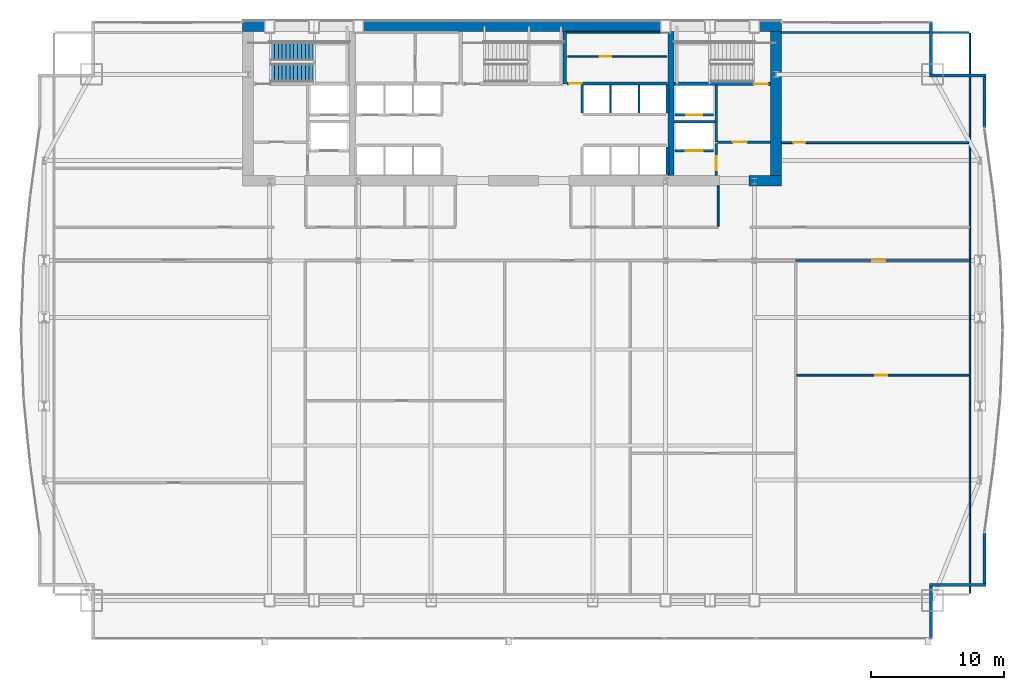
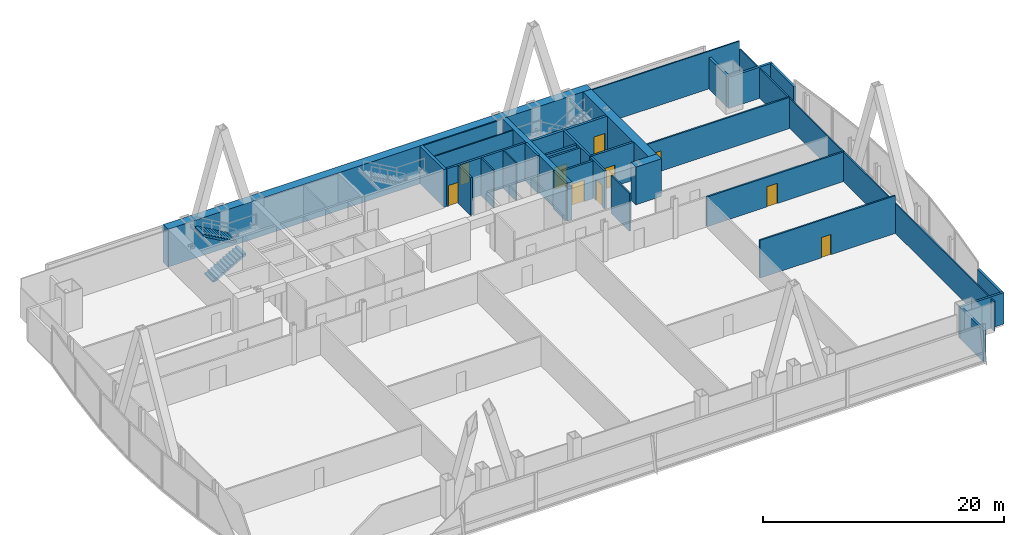
# One storey, part 31 of 35: 32 walls, 10 doors, 2 stair flights, 10 openings, 1 element without a shape of its own.
"""IFC4 building model written with IfcOpenShell, lengths in metres."""

import ifcopenshell
import ifcopenshell.guid

model = None  # the IFC model being written
_history = None  # IfcOwnerHistory: only IFC2X3 demands one
_inside = {}  # id of a spatial element -> (the spatial element, [elements in it])
_under = {}  # id of a project, library or spatial element -> (it, [spatial elements below it])
_declared = {}  # id of a project -> (the project, [libraries it declares])
_typed = {}  # id of a type object -> (the type object, [elements of that type])
_made_of = {}  # id of a material, layer set ... -> (it, [elements and type objects made of it])


def new_model(schema):
    """Start an empty IFC model of exactly this schema.

    Asked for "IFC4X3", IfcOpenShell would pick the latest addendum, in which some entities
    have other attributes; the version numbers below select the first issue.
    IFC2X3 requires an IfcOwnerHistory on every rooted entity: one is made here for all.
    """
    global model, _history
    if schema == "IFC4X3":
        model = ifcopenshell.file(schema_version=(4, 3, 0, 0))
    else:
        model = ifcopenshell.file(schema=schema)
    _inside.clear()
    _under.clear()
    _declared.clear()
    _typed.clear()
    _made_of.clear()
    _history = None
    if model.schema == "IFC2X3":
        org = make("IfcOrganization", Name="unknown")
        user = make(
            "IfcPersonAndOrganization",
            ThePerson=make("IfcPerson", FamilyName="unknown"),
            TheOrganization=org,
        )
        app = make(
            "IfcApplication",
            ApplicationDeveloper=org,
            Version="unknown",
            ApplicationFullName="unknown",
            ApplicationIdentifier="unknown",
        )
        _history = make(
            "IfcOwnerHistory",
            OwningUser=user,
            OwningApplication=app,
            ChangeAction="ADDED",
            CreationDate=0,
        )
    return model


def make(cls, **values):
    """One entity of the class cls with the attributes given. An attribute that is None is left unset."""
    return model.create_entity(
        cls, **{name: value for name, value in values.items() if value is not None}
    )


def rooted(cls, **values):
    """An entity with a GlobalId (a new one), such as an element, a storey or a relation."""
    return make(cls, GlobalId=ifcopenshell.guid.new(), OwnerHistory=_history, **values)


def si_unit(unit_type, name, prefix=None):
    """IfcSIUnit, for example si_unit("LENGTHUNIT", "METRE", prefix="MILLI")."""
    return make("IfcSIUnit", UnitType=unit_type, Prefix=prefix, Name=name)


def assignment(units):
    """IfcUnitAssignment: the units of a project."""
    return None if units is None else make("IfcUnitAssignment", Units=units)


def point(xyz):
    """IfcCartesianPoint."""
    return None if xyz is None else make("IfcCartesianPoint", Coordinates=xyz)


def direction(xyz):
    """IfcDirection."""
    return None if xyz is None else make("IfcDirection", DirectionRatios=xyz)


def frame(location, z_axis=None, x_axis=None):
    """IfcAxis2Placement3D, a coordinate frame: its origin and axes. An axis left out is left unset."""
    return make(
        "IfcAxis2Placement3D",
        Location=point(location),
        Axis=direction(z_axis),
        RefDirection=direction(x_axis),
    )


def frame_2d(location, x_axis=None):
    """IfcAxis2Placement2D, a coordinate frame in the plane: its origin and x axis."""
    return make(
        "IfcAxis2Placement2D", Location=point(location), RefDirection=direction(x_axis)
    )


def origin():
    """The frame at (0, 0, 0) with its axes left unset."""
    return frame((0.0, 0.0, 0.0))


def place(relative_to, where):
    """IfcLocalPlacement: puts the frame where relative to a parent placement (None: the world)."""
    return make(
        "IfcLocalPlacement", PlacementRelTo=relative_to, RelativePlacement=where
    )


def context(
    kind, dimensions, precision=None, world=None, true_north=None, identifier=None
):
    """IfcGeometricRepresentationContext, for example the 3D "Model" context."""
    return make(
        "IfcGeometricRepresentationContext",
        ContextIdentifier=identifier,
        ContextType=kind,
        CoordinateSpaceDimension=dimensions,
        Precision=precision,
        WorldCoordinateSystem=world,
        TrueNorth=true_north,
    )


def subcontext(parent, identifier, kind, view, scale=None):
    """IfcGeometricRepresentationSubContext, for example "Body" below "Model"."""
    return make(
        "IfcGeometricRepresentationSubContext",
        ContextIdentifier=identifier,
        ContextType=kind,
        ParentContext=parent,
        TargetScale=scale,
        TargetView=view,
    )


def project(units=None, contexts=None):
    """IfcProject with its units and contexts."""
    return rooted(
        "IfcProject",
        Name="project",
        RepresentationContexts=contexts,
        UnitsInContext=assignment(units),
    )


def spatial(cls, under=None, at=None, **own):
    """A site, building, storey or space (cls), placed at a placement, below another one or the project."""
    s = rooted(cls, ObjectPlacement=at, **own)
    if under is not None:
        _under.setdefault(under.id(), (under, []))[1].append(s)
    return s


def polyline(points):
    """IfcPolyline through the points."""
    return make("IfcPolyline", Points=[point(p) for p in points])


def profile(cls, at=None, kind="AREA", **sizes):
    """A parametric profile (cls). Its sizes go by their IFC names, for example OverallWidth=200.0."""
    return make(cls, ProfileType=kind, Position=at, **sizes)


def rectangle(**sizes):
    """IfcRectangleProfileDef."""
    return profile("IfcRectangleProfileDef", **sizes)


def outline(outer, holes=None, kind="AREA"):
    """IfcArbitraryClosedProfileDef: a profile drawn as a closed curve; with holes, ...WithVoids."""
    if holes is None:
        return make("IfcArbitraryClosedProfileDef", ProfileType=kind, OuterCurve=outer)
    return make(
        "IfcArbitraryProfileDefWithVoids",
        ProfileType=kind,
        OuterCurve=outer,
        InnerCurves=holes,
    )


def extrude(swept, where, along, depth):
    """IfcExtrudedAreaSolid: the profile swept, set in the frame where, extruded along a direction by depth."""
    return make(
        "IfcExtrudedAreaSolid",
        SweptArea=swept,
        Position=where,
        ExtrudedDirection=direction(along),
        Depth=depth,
    )


def shape(context_of_items, identifier, shape_type, items):
    """IfcShapeRepresentation: the items that make up one representation, for example the "Body"."""
    return make(
        "IfcShapeRepresentation",
        ContextOfItems=context_of_items,
        RepresentationIdentifier=identifier,
        RepresentationType=shape_type,
        Items=items,
    )


def material(Name=None, Category=None):
    """IfcMaterial."""
    return make("IfcMaterial", Name=Name, Category=Category)


def layer(
    of_material, thickness, ventilated=None, Name=None, Category=None, Priority=None
):
    """IfcMaterialLayer: one layer of a wall or slab, of a material (None: an air gap)."""
    return make(
        "IfcMaterialLayer",
        Material=of_material,
        LayerThickness=thickness,
        IsVentilated=ventilated,
        Name=Name,
        Category=Category,
        Priority=Priority,
    )


def layer_set(layers, Name=None):
    """IfcMaterialLayerSet."""
    return make("IfcMaterialLayerSet", MaterialLayers=layers, LayerSetName=Name)


def made_of(thing, what):
    """Note that an element or type object is made of a material, layer set ...; save() writes the relation."""
    if what is not None:
        _made_of.setdefault(what.id(), (what, []))[1].append(thing)
    return thing


def type_object(cls, material=None, **own):
    """A type object (cls), such as IfcWallType, which elements share."""
    return made_of(rooted(cls, **own), material)


def element(
    cls,
    number,
    at=None,
    inside=None,
    cuts=None,
    type_object=None,
    material=None,
    context=None,
    identifier="Body",
    shape_type=None,
    held_by="IfcProductDefinitionShape",
    body=None,
    shapes=None,
    **own,
):
    """One element of the class cls, such as IfcWall. Its Tag is "e" and its number.

    at: its placement. inside: the storey or other place that contains it. cuts: it is an
    opening in that element (IfcRelVoidsElement). A single representation is given by context,
    identifier, shape_type and body (its items); several are given by shapes. held_by: the class
    of the entity that holds the representations. save() writes the other relations.
    """
    e = rooted(cls, Tag="e%d" % number, ObjectPlacement=at, **own)
    if body is not None:
        shapes = [shape(context, identifier, shape_type, body)]
    if shapes is not None:
        e.Representation = make(held_by, Representations=shapes)
    if inside is not None:
        _inside.setdefault(inside.id(), (inside, []))[1].append(e)
    if cuts is not None:
        rooted(
            "IfcRelVoidsElement", RelatingBuildingElement=cuts, RelatedOpeningElement=e
        )
    if type_object is not None:
        _typed.setdefault(type_object.id(), (type_object, []))[1].append(e)
    return made_of(e, material)


def fill(opening, filler):
    """IfcRelFillsElement: the door or window that sits in an opening."""
    return rooted(
        "IfcRelFillsElement",
        RelatingOpeningElement=opening,
        RelatedBuildingElement=filler,
    )


def aggregate(whole, parts):
    """IfcRelAggregates: a whole, such as a stair, and the parts it consists of."""
    return rooted("IfcRelAggregates", RelatingObject=whole, RelatedObjects=parts)


def save(model, path):
    """Write the relations noted so far, then the file.

    IfcRelAggregates (storeys below a building ...), IfcRelContainedInSpatialStructure (elements
    in a storey), IfcRelDefinesByType, IfcRelAssociatesMaterial and IfcRelDeclares: one each for
    every whole, place, type object, material and project.
    """
    for whole, parts in _under.values():
        aggregate(whole, parts)
    for where, things in _inside.values():
        rooted(
            "IfcRelContainedInSpatialStructure",
            RelatedElements=things,
            RelatingStructure=where,
        )
    for kind, things in _typed.values():
        rooted("IfcRelDefinesByType", RelatedObjects=things, RelatingType=kind)
    for what, things in _made_of.values():
        rooted("IfcRelAssociatesMaterial", RelatedObjects=things, RelatingMaterial=what)
    for by, libraries in _declared.values():
        rooted("IfcRelDeclares", RelatingContext=by, RelatedDefinitions=libraries)
    model.write(path)


model = new_model("IFC4")

# Units and contexts
model_context = context("Model", 3, precision=1e-05, world=origin(), true_north=direction((0.0, 1.0)))
body_context = subcontext(model_context, "Body", "Model", "MODEL_VIEW")
ifc_project = project(units=[si_unit("LENGTHUNIT", "METRE"), si_unit("AREAUNIT", "SQUARE_METRE"), si_unit("VOLUMEUNIT", "CUBIC_METRE"), si_unit("PLANEANGLEUNIT", "RADIAN"), si_unit("MASSUNIT", "GRAM", prefix="KILO")], contexts=[model_context])

# Site, building, storey
site_placement = place(None, origin())
site = spatial("IfcSite", under=ifc_project, at=site_placement, CompositionType="ELEMENT")
building_placement = place(site_placement, origin())
building = spatial("IfcBuilding", under=site, at=building_placement, Name="Khoronbel Lancet Exchange", CompositionType="ELEMENT")
storey_placement = place(building_placement, frame((0.0, 0.0, 37.800048828125)))
storey = spatial("IfcBuildingStorey", under=building, at=storey_placement, Name="L08", CompositionType="ELEMENT", Elevation=37.800048828125)

# Walls
ifc_material_1 = material(Name="Concrete C80/95", Category="concrete")
ifc_layer_1 = layer(ifc_material_1, 0.800048828125, Name="Concrete C80/95")
ifc_layer_set_1 = layer_set([ifc_layer_1], Name="Concrete C80/95")
wall_type_1 = type_object("IfcWallType", Name="WL-CW1", PredefinedType="SHEAR", material=ifc_layer_set_1)
wall_1_placement = place(storey_placement, frame((16.199951171875, 53.300048828125, 0.0), z_axis=(0.0, 0.0, 1.0), x_axis=(1.0, 0.0, 0.0)))
element("IfcWall", 1, at=wall_1_placement, inside=storey, type_object=wall_type_1, Name="Level L08 rear core north shear wall", PredefinedType="SHEAR", context=body_context, shape_type="SweptSolid", body=[
    extrude(rectangle(XDim=40.5, YDim=0.800048828125, at=frame_2d((20.25, 0.0))), origin(), (0.0, 0.0, 1.0), 3.820068359375),
])
wall_2_placement = place(storey_placement, frame((56.300048828125, 52.89990234375, 0.0), z_axis=(0.0, 0.0, 1.0), x_axis=(0.0, -1.0, 0.0)))
element("IfcWall", 2, at=wall_2_placement, inside=storey, type_object=wall_type_1, Name="Level L08 rear core east shear wall", PredefinedType="SHEAR", context=body_context, shape_type="SweptSolid", body=[
    extrude(rectangle(XDim=10.7998046875, YDim=0.800048828125, at=frame_2d((5.39990234375, 0.0))), origin(), (0.0, 0.0, 1.0), 3.820068359375),
])
wall_3_placement = place(storey_placement, frame((56.699951171875, 41.699951171875, 0.0), z_axis=(0.0, 0.0, 1.0), x_axis=(-1.0, 0.0, 0.0)))
element("IfcWall", 3, at=wall_3_placement, inside=storey, type_object=wall_type_1, Name="Level L08 rear core south shear wall pier P5", PredefinedType="SHEAR", context=body_context, shape_type="SweptSolid", body=[
    extrude(rectangle(XDim=2.449951171875, YDim=0.800048828125, at=frame_2d((1.22509765625, 0.0))), origin(), (0.0, 0.0, 1.0), 3.820068359375),
])
ifc_material_2 = material(Name="Precast concrete C40/50", Category="concrete")
ifc_layer_2 = layer(ifc_material_2, 0.25, Name="Precast concrete C40/50")
ifc_layer_set_2 = layer_set([ifc_layer_2], Name="Precast concrete C40/50")
wall_type_2 = type_object("IfcWallType", Name="WL-EXT250", PredefinedType="SOLIDWALL", material=ifc_layer_set_2)
wall_4_placement = place(storey_placement, frame((67.9599609375, 53.6298828125, 0.0), z_axis=(0.0, 0.0, 1.0), x_axis=(0.0, -1.0, 0.0)))
element("IfcWall", 4, at=wall_4_placement, inside=storey, type_object=wall_type_2, Name="Level L08 notched-corner limestone pier 14", PredefinedType="SOLIDWALL", context=body_context, shape_type="SweptSolid", body=[
    extrude(rectangle(XDim=3.909912109375, YDim=0.219970703125, at=frame_2d((1.955078125, 0.0))), origin(), (0.0, 0.0, 1.0), 3.159912109375),
])
wall_5_placement = place(storey_placement, frame((67.85009765625, 49.610107421875, 0.0), z_axis=(0.0, 0.0, 1.0), x_axis=(1.0, 0.0, 0.0)))
element("IfcWall", 5, at=wall_5_placement, inside=storey, type_object=wall_type_2, Name="Level L08 notched-corner limestone pier 15", PredefinedType="SOLIDWALL", context=body_context, shape_type="SweptSolid", body=[
    extrude(rectangle(XDim=4.219970703125, YDim=0.219970703125, at=frame_2d((2.10986328125, 0.0))), origin(), (0.0, 0.0, 1.0), 3.159912109375),
])
for number, where, z_axis, x_axis, name in (
    (6, (71.9599609375, 49.5, 0.0), (0.0, 0.0, 1.0), (0.0, -1.0, 0.0), "Level L08 notched-corner limestone pier 16"),
    (7, (71.9599609375, 15.22607421875, 0.0), (0.0, 0.0, 1.0), (0.0, -1.0, 0.0), "Level L08 notched-corner limestone pier 23"),
):
    element("IfcWall", number, at=place(storey_placement, frame(where, z_axis=z_axis, x_axis=x_axis)), inside=storey, type_object=wall_type_2, Name=name, PredefinedType="SOLIDWALL", context=body_context, shape_type="SweptSolid", body=[
        extrude(rectangle(XDim=3.826171875, YDim=0.219970703125, at=frame_2d((1.9130859375, 0.0))), origin(), (0.0, 0.0, 1.0), 3.159912109375),
    ])
wall_6_placement = place(storey_placement, frame((72.070068359375, 11.2900390625, 0.0), z_axis=(0.0, 0.0, 1.0), x_axis=(-1.0, 0.0, 0.0)))
element("IfcWall", 8, at=wall_6_placement, inside=storey, type_object=wall_type_2, Name="Level L08 notched-corner limestone pier 24", PredefinedType="SOLIDWALL", context=body_context, shape_type="SweptSolid", body=[
    extrude(rectangle(XDim=4.219970703125, YDim=0.219970703125, at=frame_2d((2.10986328125, 0.0))), origin(), (0.0, 0.0, 1.0), 3.159912109375),
])
wall_7_placement = place(storey_placement, frame((67.9599609375, 11.179931640625, 0.0), z_axis=(0.0, 0.0, 1.0), x_axis=(0.0, -1.0, 0.0)))
element("IfcWall", 9, at=wall_7_placement, inside=storey, type_object=wall_type_2, Name="Level L08 notched-corner limestone pier 25", PredefinedType="SOLIDWALL", context=body_context, shape_type="SweptSolid", body=[
    extrude(rectangle(XDim=3.909912109375, YDim=0.219970703125, at=frame_2d((1.955078125, 0.0))), origin(), (0.0, 0.0, 1.0), 3.159912109375),
])
ifc_material_3 = material(Name="Acoustic Metal-Stud & Mineral-Wool Gypsum Partition 120 mm", Category="gypsum")
ifc_layer_3 = layer(ifc_material_3, 0.1201171875, Name="Acoustic Metal-Stud & Mineral-Wool Gypsum Partition 120 mm")
ifc_layer_set_3 = layer_set([ifc_layer_3], Name="Acoustic Metal-Stud & Mineral-Wool Gypsum Partition 120 mm")
wall_type_3 = type_object("IfcWallType", Name="WL-PRT120", PredefinedType="PARTITIONING", material=ifc_layer_set_3)
wall_8_placement = place(storey_placement, frame((51.949951171875, 38.280029296875, 0.0), z_axis=(0.0, 0.0, 1.0), x_axis=(0.0, 1.0, 0.0)))
element("IfcWall", 10, at=wall_8_placement, inside=storey, type_object=wall_type_3, Name="Level L08 interior partition PW-NP-1", PredefinedType="PARTITIONING", context=body_context, shape_type="SweptSolid", body=[
    extrude(rectangle(XDim=3.02001953125, YDim=0.14990234375, at=frame_2d((1.510009765625, 0.0))), origin(), (0.0, 0.0, 1.0), 3.820068359375),
])

# Wall, opening, door
wall_9_placement = place(storey_placement, frame((56.699951171875, 44.56005859375, 0.0), z_axis=(0.0, 0.0, 1.0), x_axis=(1.0, 0.0, 0.0)))
wall_9 = element("IfcWall", 11, at=wall_9_placement, inside=storey, type_object=wall_type_3, Name="Level L08 interior partition PW-NE-H", PredefinedType="PARTITIONING", context=body_context, shape_type="SweptSolid", body=[
    extrude(rectangle(XDim=14.10498046875, YDim=0.14990234375, at=frame_2d((7.052490234375, 0.0))), origin(), (0.0, 0.0, 1.0), 3.159912109375),
])
opening_1_placement = place(wall_9_placement, frame((0.89990234375, 0.0, 0.0)))
opening_1 = element("IfcOpeningElement", 12, at=opening_1_placement, cuts=wall_9, Name="Opening D5", PredefinedType="OPENING", context=body_context, shape_type="SweptSolid", body=[
    extrude(rectangle(XDim=0.89990234375, YDim=2.050048828125, at=frame_2d((0.449951171875, 1.02490234375))), frame((0.0, 0.0849609375, 0.0), z_axis=(0.0, -1.0, 0.0), x_axis=(1.0, 0.0, 0.0)), (0.0, 0.0, 1.0), 0.169921875),
])
ifc_material_4 = material(Name="Acoustic Timber Pantry & Support Door", Category="wood")
door_type_1 = type_object("IfcDoorType", Name="DR-D5", OperationType="NOTDEFINED", PredefinedType="DOOR", material=ifc_material_4)
door_1_placement = place(opening_1_placement, origin())
door_1 = element("IfcDoor", 13, at=door_1_placement, inside=storey, type_object=door_type_1, Name="NE north room door L08-1", OperationType="SINGLE_SWING_LEFT", OverallHeight=2.050048828125, OverallWidth=0.89990234375, PredefinedType="DOOR", context=body_context, shape_type="SweptSolid", body=[
    extrude(rectangle(XDim=0.89990234375, YDim=2.050048828125, at=frame_2d((0.449951171875, 1.02490234375))), frame((0.0, 0.02490234375, 0.0), z_axis=(0.0, -1.0, 0.0), x_axis=(1.0, 0.0, 0.0)), (0.0, 0.0, 1.0), 0.050048828125),
])
fill(opening_1, door_1)

wall_10_placement = place(storey_placement, frame((57.85205078125, 27.072021484375, 0.0), z_axis=(0.0, 0.0, 1.0), x_axis=(1.0, 0.0, 0.0)))
wall_10 = element("IfcWall", 14, at=wall_10_placement, inside=storey, type_object=wall_type_3, Name="Level L08 interior partition PW-Z1S-H5", PredefinedType="PARTITIONING", context=body_context, shape_type="SweptSolid", body=[
    extrude(rectangle(XDim=12.952880859375, YDim=0.14990234375, at=frame_2d((6.4765625, 0.0))), origin(), (0.0, 0.0, 1.0), 3.820068359375),
])
opening_2_placement = place(wall_10_placement, frame((5.89404296875, 0.0, 0.0)))
opening_2 = element("IfcOpeningElement", 15, at=opening_2_placement, cuts=wall_10, Name="Opening D5", PredefinedType="OPENING", context=body_context, shape_type="SweptSolid", body=[
    extrude(rectangle(XDim=0.89990234375, YDim=2.050048828125, at=frame_2d((0.449951171875, 1.02490234375))), frame((0.0, 0.0849609375, 0.0), z_axis=(0.0, -1.0, 0.0), x_axis=(1.0, 0.0, 0.0)), (0.0, 0.0, 1.0), 0.169921875),
])
door_2_placement = place(opening_2_placement, origin())
door_2 = element("IfcDoor", 16, at=door_2_placement, inside=storey, type_object=door_type_1, Name="Z1S inner door 5 L08-1", OperationType="SINGLE_SWING_RIGHT", OverallHeight=2.050048828125, OverallWidth=0.89990234375, PredefinedType="DOOR", context=body_context, shape_type="SweptSolid", body=[
    extrude(rectangle(XDim=0.89990234375, YDim=2.050048828125, at=frame_2d((0.449951171875, 1.02490234375))), frame((0.0, 0.02490234375, 0.0), z_axis=(0.0, -1.0, 0.0), x_axis=(1.0, 0.0, 0.0)), (0.0, 0.0, 1.0), 0.050048828125),
])
fill(opening_2, door_2)

# Walls
wall_11_placement = place(storey_placement, frame((70.8701171875, 10.6650390625, 0.0), z_axis=(0.0, 0.0, 1.0), x_axis=(0.0, 1.0, 0.0)))
element("IfcWall", 17, at=wall_11_placement, inside=storey, type_object=wall_type_3, Name="Level L08 interior partition PW-LIN-E", PredefinedType="PARTITIONING", context=body_context, shape_type="SweptSolid", body=[
    extrude(rectangle(XDim=42.10986328125, YDim=0.1201171875, at=frame_2d((21.054931640625, 0.0))), origin(), (0.0, 0.0, 1.0), 3.010009765625),
])
wall_12_placement = place(storey_placement, frame((56.699951171875, 52.840087890625, 0.0), z_axis=(0.0, 0.0, 1.0), x_axis=(1.0, 0.0, 0.0)))
element("IfcWall", 18, at=wall_12_placement, inside=storey, type_object=wall_type_3, Name="Level L08 interior partition PW-LIN-NE", PredefinedType="PARTITIONING", context=body_context, shape_type="SweptSolid", body=[
    extrude(rectangle(XDim=14.10498046875, YDim=0.1201171875, at=frame_2d((7.052490234375, 0.0))), origin(), (0.0, 0.0, 1.0), 3.820068359375),
])
ifc_material_5 = material(Name="Fire-Rated Metal-Stud & Mineral-Wool Gypsum Partition 120 mm", Category="gypsum")
ifc_layer_4 = layer(ifc_material_5, 0.1201171875, Name="Fire-Rated Metal-Stud & Mineral-Wool Gypsum Partition 120 mm")
ifc_layer_set_4 = layer_set([ifc_layer_4], Name="Fire-Rated Metal-Stud & Mineral-Wool Gypsum Partition 120 mm")
wall_type_4 = type_object("IfcWallType", Name="WL-PRT120F", PredefinedType="PARTITIONING", material=ifc_layer_set_4)
for number, where, z_axis, x_axis, name in (
    (19, (43.860107421875, 46.804931640625, 0.0), (0.0, 0.0, 1.0), (0.0, 1.0, 0.0), "Level L08 interior partition CW-PH-D1"),
    (20, (46.0, 46.804931640625, 0.0), (0.0, 0.0, 1.0), (0.0, 1.0, 0.0), "Level L08 interior partition CW-PH-D2"),
):
    element("IfcWall", number, at=place(storey_placement, frame(where, z_axis=z_axis, x_axis=x_axis)), inside=storey, type_object=wall_type_4, Name=name, PredefinedType="PARTITIONING", context=body_context, shape_type="SweptSolid", body=[
        extrude(rectangle(XDim=2.090087890625, YDim=0.1201171875, at=frame_2d((1.044921875, 0.0))), origin(), (0.0, 0.0, 1.0), 3.820068359375),
    ])
wall_13_placement = place(storey_placement, frame((40.580078125, 52.860107421875, 0.0), z_axis=(0.0, 0.0, 1.0), x_axis=(1.0, 0.0, 0.0)))
element("IfcWall", 21, at=wall_13_placement, inside=storey, type_object=wall_type_4, Name="Level L08 interior partition CW-SUP-NE-N", PredefinedType="PARTITIONING", context=body_context, shape_type="SweptSolid", body=[
    extrude(rectangle(XDim=7.559814453125, YDim=0.1201171875, at=frame_2d((3.77978515625, 0.0))), origin(), (0.0, 0.0, 1.0), 3.820068359375),
])

# Wall, opening, door
wall_14_placement = place(storey_placement, frame((40.6298828125, 51.0400390625, 0.0), z_axis=(0.0, 0.0, 1.0), x_axis=(1.0, 0.0, 0.0)))
wall_14 = element("IfcWall", 22, at=wall_14_placement, inside=storey, type_object=wall_type_4, Name="Level L08 interior partition CW-SUP-NE-H", PredefinedType="PARTITIONING", context=body_context, shape_type="SweptSolid", body=[
    extrude(rectangle(XDim=7.460205078125, YDim=0.1201171875, at=frame_2d((3.72998046875, 0.0))), origin(), (0.0, 0.0, 1.0), 3.820068359375),
])
opening_3_placement = place(wall_14_placement, frame((2.39990234375, 0.0, 0.0)))
opening_3 = element("IfcOpeningElement", 23, at=opening_3_placement, cuts=wall_14, Name="Opening FD4", PredefinedType="OPENING", context=body_context, shape_type="SweptSolid", body=[
    extrude(rectangle(XDim=0.89990234375, YDim=2.050048828125, at=frame_2d((0.449951171875, 1.02490234375))), frame((0.0, 0.070068359375, 0.0), z_axis=(0.0, -1.0, 0.0), x_axis=(1.0, 0.0, 0.0)), (0.0, 0.0, 1.0), 0.14013671875),
])
ifc_material_6 = material(Name="Fire-Rated Steel Core Support Door Assembly", Category="steel")
door_type_2 = type_object("IfcDoorType", Name="DR-FD4", OperationType="NOTDEFINED", PredefinedType="DOOR", material=ifc_material_6)
door_3_placement = place(opening_3_placement, origin())
door_3 = element("IfcDoor", 24, at=door_3_placement, inside=storey, type_object=door_type_2, Name="Core NE north store door L08-1", OperationType="SINGLE_SWING_RIGHT", OverallHeight=2.050048828125, OverallWidth=0.89990234375, PredefinedType="DOOR", context=body_context, shape_type="SweptSolid", body=[
    extrude(rectangle(XDim=0.89990234375, YDim=2.050048828125, at=frame_2d((0.449951171875, 1.02490234375))), frame((0.0, 0.02490234375, 0.0), z_axis=(0.0, -1.0, 0.0), x_axis=(1.0, 0.0, 0.0)), (0.0, 0.0, 1.0), 0.050048828125),
])
fill(opening_3, door_3)

ifc_material_7 = material(Name="Fire-Rated Twin-Stud Acoustic Gypsum Partition 160 mm", Category="gypsum")
ifc_layer_5 = layer(ifc_material_7, 0.159912109375, Name="Fire-Rated Twin-Stud Acoustic Gypsum Partition 160 mm")
ifc_layer_set_5 = layer_set([ifc_layer_5], Name="Fire-Rated Twin-Stud Acoustic Gypsum Partition 160 mm")
wall_type_5 = type_object("IfcWallType", Name="WL-PRT160C", PredefinedType="PARTITIONING", material=ifc_layer_set_5)
wall_15_placement = place(storey_placement, frame((57.772216796875, 35.699951171875, 0.0), z_axis=(0.0, 0.0, 1.0), x_axis=(1.0, 0.0, 0.0)))
wall_15 = element("IfcWall", 25, at=wall_15_placement, inside=storey, type_object=wall_type_5, Name="Level L08 interior partition PW-Z1S-COR5", PredefinedType="PARTITIONING", context=body_context, shape_type="SweptSolid", body=[
    extrude(rectangle(XDim=13.097900390625, YDim=0.159912109375, at=frame_2d((6.548828125, 0.0))), origin(), (0.0, 0.0, 1.0), 3.010009765625),
])
opening_4_placement = place(wall_15_placement, frame((5.751220703125, 0.0, 0.0)))
opening_4 = element("IfcOpeningElement", 26, at=opening_4_placement, cuts=wall_15, Name="Opening D2", PredefinedType="OPENING", context=body_context, shape_type="SweptSolid", body=[
    extrude(rectangle(XDim=1.0, YDim=2.050048828125, at=frame_2d((0.5, 1.02490234375))), frame((0.0, 0.08984375, 0.0), z_axis=(0.0, -1.0, 0.0), x_axis=(1.0, 0.0, 0.0)), (0.0, 0.0, 1.0), 0.179931640625),
])
ifc_material_8 = material(Name="Acoustic Veneered Timber & Bronze Frame Door", Category="wood")
door_type_3 = type_object("IfcDoorType", Name="DR-D2", OperationType="NOTDEFINED", PredefinedType="DOOR", material=ifc_material_8)
door_4_placement = place(opening_4_placement, origin())
door_4 = element("IfcDoor", 27, at=door_4_placement, inside=storey, type_object=door_type_3, Name="Z1S bay 5 door L08-1", OperationType="SINGLE_SWING_LEFT", OverallHeight=2.050048828125, OverallWidth=1.0, PredefinedType="DOOR", context=body_context, shape_type="SweptSolid", body=[
    extrude(rectangle(XDim=1.0, YDim=2.050048828125, at=frame_2d((0.5, 1.02490234375))), frame((0.0, 0.02490234375, 0.0), z_axis=(0.0, -1.0, 0.0), x_axis=(1.0, 0.0, 0.0)), (0.0, 0.0, 1.0), 0.050048828125),
])
fill(opening_4, door_4)

ifc_material_9 = material(Name="Autoclaved Aerated Concrete Blockwork 200 mm", Category="masonry")
ifc_layer_6 = layer(ifc_material_9, 0.199951171875, Name="Autoclaved Aerated Concrete Blockwork 200 mm")
ifc_layer_set_6 = layer_set([ifc_layer_6], Name="Autoclaved Aerated Concrete Blockwork 200 mm")
wall_type_6 = type_object("IfcWallType", Name="WL-PRT200", PredefinedType="PARTITIONING", material=ifc_layer_set_6)
wall_16_placement = place(storey_placement, frame((51.610107421875, 43.949951171875, 0.0), z_axis=(0.0, 0.0, 1.0), x_axis=(-1.0, 0.0, 0.0)))
wall_16 = element("IfcWall", 28, at=wall_16_placement, inside=storey, type_object=wall_type_6, Name="Level L08 elevator hoistway landing front wall SVLE", PredefinedType="PARTITIONING", context=body_context, shape_type="SweptSolid", body=[
    extrude(rectangle(XDim=2.920166015625, YDim=0.199951171875, at=frame_2d((1.4599609375, 0.0))), origin(), (0.0, 0.0, 1.0), 3.820068359375),
])
opening_5_placement = place(wall_16_placement, frame((0.81005859375, 0.0, 0.0)))
opening_5 = element("IfcOpeningElement", 29, at=opening_5_placement, cuts=wall_16, Name="Opening LD-SVL2", PredefinedType="OPENING", context=body_context, shape_type="SweptSolid", body=[
    extrude(rectangle(XDim=1.300048828125, YDim=2.179931640625, at=frame_2d((0.64990234375, 1.08984375))), frame((0.0, 0.10986328125, 0.0), z_axis=(0.0, -1.0, 0.0), x_axis=(1.0, 0.0, 0.0)), (0.0, 0.0, 1.0), 0.219970703125),
])
ifc_material_10 = material(Name="Heavy-Duty Bi-Parting Goods Lift Landing Door", Category="steel")
door_type_4 = type_object("IfcDoorType", Name="DR-LD-SVL", OperationType="NOTDEFINED", PredefinedType="DOOR", material=ifc_material_10)
door_5_placement = place(opening_5_placement, origin())
door_5 = element("IfcDoor", 30, at=door_5_placement, inside=storey, type_object=door_type_4, Name="Elevator landing sliding door LD-SVL2 L08", OperationType="SLIDING_TO_LEFT", OverallHeight=2.179931640625, OverallWidth=1.300048828125, PredefinedType="DOOR", context=body_context, shape_type="SweptSolid", body=[
    extrude(rectangle(XDim=1.300048828125, YDim=2.179931640625, at=frame_2d((0.64990234375, 1.08984375))), frame((0.0, 0.02490234375, 0.0), z_axis=(0.0, -1.0, 0.0), x_axis=(1.0, 0.0, 0.0)), (0.0, 0.0, 1.0), 0.050048828125),
])
fill(opening_5, door_5)

wall_17_placement = place(storey_placement, frame((51.610107421875, 46.64990234375, 0.0), z_axis=(0.0, 0.0, 1.0), x_axis=(-1.0, 0.0, 0.0)))
wall_17 = element("IfcWall", 31, at=wall_17_placement, inside=storey, type_object=wall_type_6, Name="Level L08 elevator hoistway landing front wall FFLE", PredefinedType="PARTITIONING", context=body_context, shape_type="SweptSolid", body=[
    extrude(rectangle(XDim=2.920166015625, YDim=0.199951171875, at=frame_2d((1.4599609375, 0.0))), origin(), (0.0, 0.0, 1.0), 3.820068359375),
])
opening_6_placement = place(wall_17_placement, frame((0.860107421875, 0.0, 0.0)))
opening_6 = element("IfcOpeningElement", 32, at=opening_6_placement, cuts=wall_17, Name="Opening LD-FFL2", PredefinedType="OPENING", context=body_context, shape_type="SweptSolid", body=[
    extrude(rectangle(XDim=1.199951171875, YDim=2.179931640625, at=frame_2d((0.60009765625, 1.08984375))), frame((0.0, 0.10986328125, 0.0), z_axis=(0.0, -1.0, 0.0), x_axis=(1.0, 0.0, 0.0)), (0.0, 0.0, 1.0), 0.219970703125),
])
ifc_material_11 = material(Name="Fire-Rated Stainless Bi-Parting Firefighting Lift Door", Category="steel")
door_type_5 = type_object("IfcDoorType", Name="DR-LD-FFL", OperationType="NOTDEFINED", PredefinedType="DOOR", material=ifc_material_11)
door_6_placement = place(opening_6_placement, origin())
door_6 = element("IfcDoor", 33, at=door_6_placement, inside=storey, type_object=door_type_5, Name="Elevator landing sliding door LD-FFL2 L08", OperationType="SLIDING_TO_LEFT", OverallHeight=2.179931640625, OverallWidth=1.199951171875, PredefinedType="DOOR", context=body_context, shape_type="SweptSolid", body=[
    extrude(rectangle(XDim=1.199951171875, YDim=2.179931640625, at=frame_2d((0.60009765625, 1.08984375))), frame((0.0, 0.02490234375, 0.0), z_axis=(0.0, -1.0, 0.0), x_axis=(1.0, 0.0, 0.0)), (0.0, 0.0, 1.0), 0.050048828125),
])
fill(opening_6, door_6)

# Wall
wall_18_placement = place(storey_placement, frame((51.800048828125, 44.60009765625, 0.0), z_axis=(0.0, 0.0, 1.0), x_axis=(0.0, 1.0, 0.0)))
element("IfcWall", 34, at=wall_18_placement, inside=storey, type_object=wall_type_6, Name="Level L08 interior partition CW-FFLE-W", PredefinedType="PARTITIONING", context=body_context, shape_type="SweptSolid", body=[
    extrude(rectangle(XDim=4.2998046875, YDim=0.199951171875, at=frame_2d((2.14990234375, 0.0))), origin(), (0.0, 0.0, 1.0), 3.820068359375),
])

# Wall, opening, door
wall_19_placement = place(storey_placement, frame((51.89990234375, 44.60009765625, 0.0), z_axis=(0.0, 0.0, 1.0), x_axis=(1.0, 0.0, 0.0)))
wall_19 = element("IfcWall", 35, at=wall_19_placement, inside=storey, type_object=wall_type_6, Name="Level L08 interior partition CW-FFLE-S", PredefinedType="PARTITIONING", context=body_context, shape_type="SweptSolid", body=[
    extrude(rectangle(XDim=4.0, YDim=0.199951171875, at=frame_2d((2.0, 0.0))), origin(), (0.0, 0.0, 1.0), 3.820068359375),
])
opening_7_placement = place(wall_19_placement, frame((1.14990234375, 0.0, 0.0)))
opening_7 = element("IfcOpeningElement", 36, at=opening_7_placement, cuts=wall_19, Name="Opening FD1", PredefinedType="OPENING", context=body_context, shape_type="SweptSolid", body=[
    extrude(rectangle(XDim=1.050048828125, YDim=2.14990234375, at=frame_2d((0.52490234375, 1.074951171875))), frame((0.0, 0.10986328125, 0.0), z_axis=(0.0, -1.0, 0.0), x_axis=(1.0, 0.0, 0.0)), (0.0, 0.0, 1.0), 0.219970703125),
])
ifc_material_12 = material(Name="Fire-Rated Painted Steel Door Assembly", Category="steel")
door_type_6 = type_object("IfcDoorType", Name="DR-FD1", OperationType="NOTDEFINED", PredefinedType="DOOR", material=ifc_material_12)
door_7_placement = place(opening_7_placement, origin())
door_7 = element("IfcDoor", 37, at=door_7_placement, inside=storey, type_object=door_type_6, Name="East firefighting lobby FD90S door L08-1", OperationType="SINGLE_SWING_LEFT", OverallHeight=2.14990234375, OverallWidth=1.050048828125, PredefinedType="DOOR", context=body_context, shape_type="SweptSolid", body=[
    extrude(rectangle(XDim=1.050048828125, YDim=2.14990234375, at=frame_2d((0.52490234375, 1.074951171875))), frame((0.0, 0.02490234375, 0.0), z_axis=(0.0, -1.0, 0.0), x_axis=(1.0, 0.0, 0.0)), (0.0, 0.0, 1.0), 0.050048828125),
])
fill(opening_7, door_7)

# Wall
wall_20_placement = place(storey_placement, frame((48.6298828125, 46.1201171875, 0.0), z_axis=(0.0, 0.0, 1.0), x_axis=(1.0, 0.0, 0.0)))
element("IfcWall", 38, at=wall_20_placement, inside=storey, type_object=wall_type_6, Name="Level L08 interior partition CW-FFL2-S", PredefinedType="PARTITIONING", context=body_context, shape_type="SweptSolid", body=[
    extrude(rectangle(XDim=3.070068359375, YDim=0.199951171875, at=frame_2d((1.53515625, 0.0))), origin(), (0.0, 0.0, 1.0), 3.820068359375),
])

# Wall, opening, door
wall_21_placement = place(storey_placement, frame((51.800048828125, 42.10009765625, 0.0), z_axis=(0.0, 0.0, 1.0), x_axis=(0.0, 1.0, 0.0)))
wall_21 = element("IfcWall", 39, at=wall_21_placement, inside=storey, type_object=wall_type_6, Name="Level L08 interior partition CW-SVLE-E", PredefinedType="PARTITIONING", context=body_context, shape_type="SweptSolid", body=[
    extrude(rectangle(XDim=2.39501953125, YDim=0.199951171875, at=frame_2d((1.197509765625, 0.0))), origin(), (0.0, 0.0, 1.0), 3.820068359375),
])
opening_8_placement = place(wall_21_placement, frame((0.3798828125, 0.0, 0.0)))
opening_8 = element("IfcOpeningElement", 40, at=opening_8_placement, cuts=wall_21, Name="Opening FD1", PredefinedType="OPENING", context=body_context, shape_type="SweptSolid", body=[
    extrude(rectangle(XDim=1.050048828125, YDim=2.14990234375, at=frame_2d((0.52490234375, 1.074951171875))), frame((0.0, 0.10986328125, 0.0), z_axis=(0.0, -1.0, 0.0), x_axis=(1.0, 0.0, 0.0)), (0.0, 0.0, 1.0), 0.219970703125),
])
door_8_placement = place(opening_8_placement, origin())
door_8 = element("IfcDoor", 41, at=door_8_placement, inside=storey, type_object=door_type_6, Name="East service lift lobby door L08-1", OperationType="SINGLE_SWING_RIGHT", OverallHeight=2.14990234375, OverallWidth=1.050048828125, PredefinedType="DOOR", context=body_context, shape_type="SweptSolid", body=[
    extrude(rectangle(XDim=1.050048828125, YDim=2.14990234375, at=frame_2d((0.52490234375, 1.074951171875))), frame((0.0, 0.02490234375, 0.0), z_axis=(0.0, -1.0, 0.0), x_axis=(1.0, 0.0, 0.0)), (0.0, 0.0, 1.0), 0.050048828125),
])
fill(opening_8, door_8)

# Walls
for number, where, z_axis, x_axis, name in (
    (42, (41.719970703125, 46.804931640625, 0.0), (0.0, 0.0, 1.0), (0.0, 1.0, 0.0), "Level L08 interior partition CW-PH-W"),
    (43, (48.139892578125, 46.804931640625, 0.0), (0.0, 0.0, 1.0), (0.0, 1.0, 0.0), "Level L08 interior partition CW-PH-E"),
):
    element("IfcWall", number, at=place(storey_placement, frame(where, z_axis=z_axis, x_axis=x_axis)), inside=storey, type_object=wall_type_6, Name=name, PredefinedType="PARTITIONING", context=body_context, shape_type="SweptSolid", body=[
        extrude(rectangle(XDim=2.090087890625, YDim=0.199951171875, at=frame_2d((1.044921875, 0.0))), origin(), (0.0, 0.0, 1.0), 3.820068359375),
    ])
wall_22_placement = place(storey_placement, frame((48.139892578125, 42.14990234375, 0.0), z_axis=(0.0, 0.0, 1.0), x_axis=(0.0, 1.0, 0.0)))
element("IfcWall", 44, at=wall_22_placement, inside=storey, type_object=wall_type_6, Name="Level L08 interior partition CW-PX-E", PredefinedType="PARTITIONING", context=body_context, shape_type="SweptSolid", body=[
    extrude(rectangle(XDim=2.09521484375, YDim=0.199951171875, at=frame_2d((1.047607421875, 0.0))), origin(), (0.0, 0.0, 1.0), 3.820068359375),
])

# Wall, opening, door
wall_23_placement = place(storey_placement, frame((40.580078125, 49.0, 0.0), z_axis=(0.0, 0.0, 1.0), x_axis=(1.0, 0.0, 0.0)))
wall_23 = element("IfcWall", 45, at=wall_23_placement, inside=storey, type_object=wall_type_6, Name="Level L08 interior partition CW-SUP-NE-S", PredefinedType="PARTITIONING", context=body_context, shape_type="SweptSolid", body=[
    extrude(rectangle(XDim=7.559814453125, YDim=0.199951171875, at=frame_2d((3.77978515625, 0.0))), origin(), (0.0, 0.0, 1.0), 3.820068359375),
])
opening_9_placement = place(wall_23_placement, frame((0.159912109375, 0.0, 0.0)))
opening_9 = element("IfcOpeningElement", 46, at=opening_9_placement, cuts=wall_23, Name="Opening FD3", PredefinedType="OPENING", context=body_context, shape_type="SweptSolid", body=[
    extrude(rectangle(XDim=0.949951171875, YDim=2.10009765625, at=frame_2d((0.47509765625, 1.050048828125))), frame((0.0, 0.10986328125, 0.0), z_axis=(0.0, -1.0, 0.0), x_axis=(1.0, 0.0, 0.0)), (0.0, 0.0, 1.0), 0.219970703125),
])
ifc_material_13 = material(Name="Fire-Rated Steel Plant & Riser Door Assembly", Category="steel")
door_type_7 = type_object("IfcDoorType", Name="DR-FD3", OperationType="NOTDEFINED", PredefinedType="DOOR", material=ifc_material_13)
door_9_placement = place(opening_9_placement, origin())
door_9 = element("IfcDoor", 47, at=door_9_placement, inside=storey, type_object=door_type_7, Name="Core NE support room door L08-1", OperationType="SINGLE_SWING_LEFT", OverallHeight=2.10009765625, OverallWidth=0.949951171875, PredefinedType="DOOR", context=body_context, shape_type="SweptSolid", body=[
    extrude(rectangle(XDim=0.949951171875, YDim=2.10009765625, at=frame_2d((0.47509765625, 1.050048828125))), frame((0.0, 0.02490234375, 0.0), z_axis=(0.0, -1.0, 0.0), x_axis=(1.0, 0.0, 0.0)), (0.0, 0.0, 1.0), 0.050048828125),
])
fill(opening_9, door_9)

# Walls
ifc_layer_7 = layer(ifc_material_1, 0.449951171875, Name="Concrete C80/95")
ifc_layer_set_7 = layer_set([ifc_layer_7], Name="Concrete C80/95")
wall_type_7 = type_object("IfcWallType", Name="WL-SW1", PredefinedType="SHEAR", material=ifc_layer_set_7)
wall_24_placement = place(storey_placement, frame((48.39990234375, 42.10009765625, 0.0), z_axis=(0.0, 0.0, 1.0), x_axis=(0.0, 1.0, 0.0)))
element("IfcWall", 48, at=wall_24_placement, inside=storey, type_object=wall_type_7, Name="Level L08 rear core internal spine shear wall IE", PredefinedType="SHEAR", context=body_context, shape_type="SweptSolid", body=[
    extrude(rectangle(XDim=10.7998046875, YDim=0.449951171875, at=frame_2d((5.39990234375, 0.0))), origin(), (0.0, 0.0, 1.0), 3.820068359375),
])
ifc_material_14 = material(Name="Concrete C60/75", Category="concrete")
ifc_layer_8 = layer(ifc_material_14, 0.260009765625, Name="Concrete C60/75")
ifc_layer_set_8 = layer_set([ifc_layer_8], Name="Concrete C60/75")
wall_type_8 = type_object("IfcWallType", Name="WL-SW3", PredefinedType="SHEAR", material=ifc_layer_set_8)
wall_25_placement = place(storey_placement, frame((40.419921875, 48.949951171875, 0.0), z_axis=(0.0, 0.0, 1.0), x_axis=(0.0, 1.0, 0.0)))
element("IfcWall", 49, at=wall_25_placement, inside=storey, type_object=wall_type_8, Name="Level L08 central stairwell structural shear wall ST3E", PredefinedType="SHEAR", context=body_context, shape_type="SweptSolid", body=[
    extrude(rectangle(XDim=3.949951171875, YDim=0.260009765625, at=frame_2d((1.97509765625, 0.0))), origin(), (0.0, 0.0, 1.0), 3.820068359375),
])

# Wall, opening, door
wall_26_placement = place(storey_placement, frame((48.6298828125, 48.97998046875, 0.0), z_axis=(0.0, 0.0, 1.0), x_axis=(1.0, 0.0, 0.0)))
wall_26 = element("IfcWall", 50, at=wall_26_placement, inside=storey, type_object=wall_type_8, Name="Level L08 east stairwell structural south wall", PredefinedType="SHEAR", context=body_context, shape_type="SweptSolid", body=[
    extrude(rectangle(XDim=7.27001953125, YDim=0.239990234375, at=frame_2d((3.635009765625, 0.0))), origin(), (0.0, 0.0, 1.0), 3.820068359375),
])
opening_10_placement = place(wall_26_placement, frame((6.0, 0.0, 0.0)))
opening_10 = element("IfcOpeningElement", 51, at=opening_10_placement, cuts=wall_26, Name="Opening SD1", PredefinedType="OPENING", context=body_context, shape_type="SweptSolid", body=[
    extrude(rectangle(XDim=1.050048828125, YDim=2.14990234375, at=frame_2d((0.52490234375, 1.074951171875))), frame((0.0, 0.1298828125, 0.0), z_axis=(0.0, -1.0, 0.0), x_axis=(1.0, 0.0, 0.0)), (0.0, 0.0, 1.0), 0.260009765625),
])
ifc_material_15 = material(Name="Fire-Rated Steel Stairwell Door Assembly", Category="steel")
door_type_8 = type_object("IfcDoorType", Name="DR-SD1", OperationType="NOTDEFINED", PredefinedType="DOOR", material=ifc_material_15)
door_10_placement = place(opening_10_placement, origin())
door_10 = element("IfcDoor", 52, at=door_10_placement, inside=storey, type_object=door_type_8, Name="Protected exit stair ST2 door L08", OperationType="SINGLE_SWING_RIGHT", OverallHeight=2.14990234375, OverallWidth=1.050048828125, PredefinedType="DOOR", context=body_context, shape_type="SweptSolid", body=[
    extrude(rectangle(XDim=1.050048828125, YDim=2.14990234375, at=frame_2d((0.52490234375, 1.074951171875))), frame((0.0, 0.02490234375, 0.0), z_axis=(0.0, -1.0, 0.0), x_axis=(1.0, 0.0, 0.0)), (0.0, 0.0, 1.0), 0.050048828125),
])
fill(opening_10, door_10)

# Stair, stair flights
ifc_material_16 = material(Name="Concrete C40/50", Category="concrete")
stair_type = type_object("IfcStairType", Name="STR-CORE150", PredefinedType="HALF_TURN_STAIR", material=ifc_material_16)
stair_placement = place(storey_placement, origin())
stair = element("IfcStair", 53, at=stair_placement, inside=storey, type_object=stair_type, Name="L08 Protected Exit Stair ST1", PredefinedType="HALF_TURN_STAIR")
stair_flight_type = type_object("IfcStairFlightType", Name="STF-150", PredefinedType="STRAIGHT", material=ifc_material_16)
stair_flight_1_placement = place(storey_placement, frame((18.300048828125, 49.81005859375, 0.0), z_axis=(0.0, 0.0, 1.0), x_axis=(1.0, 0.0, 0.0)))
stair_flight_1 = element("IfcStairFlight", 54, at=stair_flight_1_placement, type_object=stair_flight_type, Name="ST1 flight 1", NumberOfRisers=12, NumberOfTreads=11, PredefinedType="STRAIGHT", RiserHeight=0.166666667, TreadLength=0.29, context=body_context, shape_type="SweptSolid", body=[
    extrude(outline(polyline([(0.0, 0.0), (0.0, 0.166748046875), (0.2900390625, 0.166748046875), (0.2900390625, 0.333251953125), (0.580078125, 0.333251953125), (0.580078125, 0.5), (0.8701171875, 0.5), (0.8701171875, 0.666748046875), (1.159912109375, 0.666748046875), (1.159912109375, 0.833251953125), (1.449951171875, 0.833251953125), (1.449951171875, 1.0), (1.739990234375, 1.0), (1.739990234375, 1.166748046875), (2.030029296875, 1.166748046875), (2.030029296875, 1.333251953125), (2.320068359375, 1.333251953125), (2.320068359375, 1.5), (2.610107421875, 1.5), (2.610107421875, 1.666748046875), (2.89990234375, 1.666748046875), (2.89990234375, 1.833251953125), (3.18994140625, 1.833251953125), (3.18994140625, 2.0), (3.18994140625, 1.660400390625), (0.30078125, 0.0), (0.0, 0.0)])), frame((0.0, 0.68994140625, 0.0), z_axis=(0.0, -1.0, 0.0), x_axis=(1.0, 0.0, 0.0)), (0.0, 0.0, 1.0), 1.3798828125),
])
stair_flight_2_placement = place(storey_placement, frame((21.489990234375, 51.409912109375, 2.0), z_axis=(0.0, 0.0, 1.0), x_axis=(-1.0, 0.0, 0.0)))
stair_flight_2 = element("IfcStairFlight", 55, at=stair_flight_2_placement, type_object=stair_flight_type, Name="ST1 flight 2", NumberOfRisers=12, NumberOfTreads=11, PredefinedType="STRAIGHT", RiserHeight=0.166666667, TreadLength=0.29, context=body_context, shape_type="SweptSolid", body=[
    extrude(outline(polyline([(0.0, 0.0), (0.0, 0.166748046875), (0.2900390625, 0.166748046875), (0.2900390625, 0.333251953125), (0.580078125, 0.333251953125), (0.580078125, 0.5), (0.8701171875, 0.5), (0.8701171875, 0.666748046875), (1.159912109375, 0.666748046875), (1.159912109375, 0.833251953125), (1.449951171875, 0.833251953125), (1.449951171875, 1.0), (1.739990234375, 1.0), (1.739990234375, 1.166748046875), (2.030029296875, 1.166748046875), (2.030029296875, 1.333251953125), (2.320068359375, 1.333251953125), (2.320068359375, 1.5), (2.610107421875, 1.5), (2.610107421875, 1.666748046875), (2.89990234375, 1.666748046875), (2.89990234375, 1.833251953125), (3.18994140625, 1.833251953125), (3.18994140625, 2.0), (3.18994140625, 1.660400390625), (0.30078125, 0.0), (0.0, 0.0)])), frame((0.0, 0.68994140625, 0.0), z_axis=(0.0, -1.0, 0.0), x_axis=(1.0, 0.0, 0.0)), (0.0, 0.0, 1.0), 1.3798828125),
])
aggregate(stair, [stair_flight_1, stair_flight_2])

save(model, "model.ifc")
